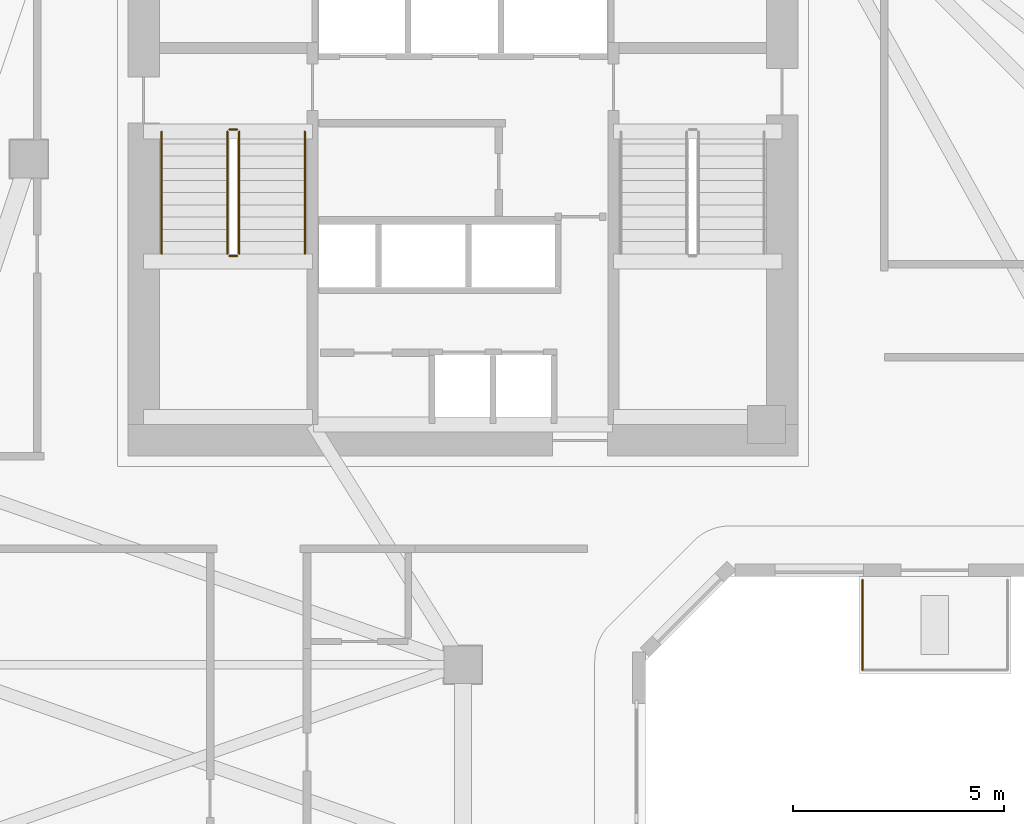
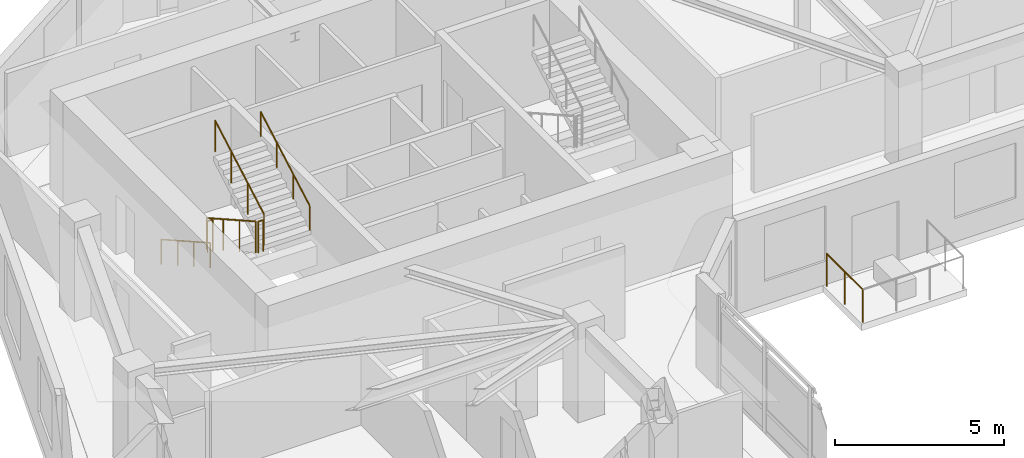
# One storey, part 9 of 11: 7 railings.
"""IFC4 building model written with IfcOpenShell, lengths in metres."""

from ifc_helpers import new_model, si_unit, direction, frame, origin, origin_2d, place, context, subcontext, project, spatial, circle, extrude, material, type_object, element, save


model = new_model("IFC4")

# Units and contexts
model_context = context("Model", 3, precision=1e-05, world=origin(), true_north=direction((0.0, 1.0)))
body_context = subcontext(model_context, "Body", "Model", "MODEL_VIEW")
ifc_project = project(units=[si_unit("LENGTHUNIT", "METRE"), si_unit("AREAUNIT", "SQUARE_METRE"), si_unit("VOLUMEUNIT", "CUBIC_METRE"), si_unit("PLANEANGLEUNIT", "RADIAN"), si_unit("MASSUNIT", "GRAM", prefix="KILO")], contexts=[model_context])

# Site, building, storey
site_placement = place(None, origin())
site = spatial("IfcSite", under=ifc_project, at=site_placement, CompositionType="ELEMENT")
building_placement = place(site_placement, origin())
building = spatial("IfcBuilding", under=site, at=building_placement, Name="Calvemar Wedge Station Tower", CompositionType="ELEMENT")
storey_placement = place(building_placement, frame((0.0, 0.0, 143.0)))
storey = spatial("IfcBuildingStorey", under=building, at=storey_placement, Name="L35", CompositionType="ELEMENT", Elevation=143.0)

# Railings
ifc_material_1 = material(Name="Stainless steel AISI 316L", Category="steel")
railing_type_1 = type_object("IfcRailingType", Name="GRD-TERR-1200", PredefinedType="GUARDRAIL", material=ifc_material_1)
railing_1_placement = place(storey_placement, frame((33.280029296875, 28.3720703125, 0.0)))
element("IfcRailing", 1, at=railing_1_placement, inside=storey, type_object=railing_type_1, Name="Storey L35 Spiral Terrace Guard 4", PredefinedType="GUARDRAIL", context=body_context, shape_type="SweptSolid", body=[
    extrude(circle(Radius=0.02392578125, at=origin_2d()), frame((0.0, 0.0, 1.17578125), z_axis=(0.0, 1.0, 0.0), x_axis=(-1.0, 0.0, 0.0)), (0.0, 0.0, 1.0), 2.139892578125),
    extrude(circle(Radius=0.02099609375, at=origin_2d()), origin(), (0.0, 0.0, 1.0), 1.15185546875),
    extrude(circle(Radius=0.02099609375, at=origin_2d()), frame((0.0, 1.06982421875, 0.0)), (0.0, 0.0, 1.0), 1.15185546875),
    extrude(circle(Radius=0.02099609375, at=origin_2d()), frame((0.0, 2.139892578125, 0.0)), (0.0, 0.0, 1.0), 1.15185546875),
])
railing_type_2 = type_object("IfcRailingType", Name="RL-HANDRAIL-920", PredefinedType="HANDRAIL", material=ifc_material_1)
railing_2_placement = place(storey_placement, frame((16.64990234375, 41.14990234375, 0.16357421875)))
element("IfcRailing", 2, at=railing_2_placement, inside=storey, type_object=railing_type_2, Name="L35 ST-C1 stair handrail 1", PredefinedType="HANDRAIL", context=body_context, shape_type="SweptSolid", body=[
    extrude(circle(Radius=0.02392578125, at=origin_2d()), frame((0.0, 0.0, 0.89599609375), z_axis=(0.0, -0.870897200241, 0.491465224214), x_axis=(1.0, 0.0, 0.0)), (0.0, 0.0, 1.0), 3.329833984375),
    extrude(circle(Radius=0.02099609375, at=origin_2d()), origin(), (0.0, 0.0, 1.0), 0.871826171875),
    extrude(circle(Radius=0.02099609375, at=origin_2d()), frame((0.0, -0.966552734375, 0.54541015625)), (0.0, 0.0, 1.0), 0.871826171875),
    extrude(circle(Radius=0.02099609375, at=origin_2d()), frame((0.0, -1.933349609375, 1.091064453125)), (0.0, 0.0, 1.0), 0.871826171875),
    extrude(circle(Radius=0.02099609375, at=origin_2d()), frame((0.0, -2.89990234375, 1.636474609375)), (0.0, 0.0, 1.0), 0.871826171875),
])
railing_3_placement = place(storey_placement, frame((20.050048828125, 38.25, 1.963623046875)))
element("IfcRailing", 3, at=railing_3_placement, inside=storey, type_object=railing_type_2, Name="L35 ST-C1 stair handrail 2", PredefinedType="HANDRAIL", context=body_context, shape_type="SweptSolid", body=[
    extrude(circle(Radius=0.02392578125, at=origin_2d()), frame((0.0, 0.0, 0.89599609375), z_axis=(0.0, 0.870897200241, 0.491465224214), x_axis=(-1.0, 0.0, 0.0)), (0.0, 0.0, 1.0), 3.329833984375),
    extrude(circle(Radius=0.02099609375, at=origin_2d()), origin(), (0.0, 0.0, 1.0), 0.871826171875),
    extrude(circle(Radius=0.02099609375, at=origin_2d()), frame((0.0, 0.966552734375, 0.54541015625)), (0.0, 0.0, 1.0), 0.871826171875),
    extrude(circle(Radius=0.02099609375, at=origin_2d()), frame((0.0, 1.933349609375, 1.091064453125)), (0.0, 0.0, 1.0), 0.871826171875),
    extrude(circle(Radius=0.02099609375, at=origin_2d()), frame((0.0, 2.89990234375, 1.636474609375)), (0.0, 0.0, 1.0), 0.871826171875),
])
ifc_material_2 = material(Name="Painted steel guardrail ASTM A500 Grade C", Category="steel")
railing_type_3 = type_object("IfcRailingType", Name="RL-STAIR-GUARD-1150", PredefinedType="GUARDRAIL", material=ifc_material_2)
railing_4_placement = place(storey_placement, frame((18.2099609375, 41.14990234375, 0.16357421875)))
element("IfcRailing", 4, at=railing_4_placement, inside=storey, type_object=railing_type_3, Name="L35 ST-C1 stair guard 1", PredefinedType="GUARDRAIL", context=body_context, shape_type="SweptSolid", body=[
    extrude(circle(Radius=0.02392578125, at=origin_2d()), frame((0.0, 0.0, 1.1259765625), z_axis=(0.0, -0.870897200241, 0.491465224214), x_axis=(1.0, 0.0, 0.0)), (0.0, 0.0, 1.0), 3.329833984375),
    extrude(circle(Radius=0.02099609375, at=origin_2d()), origin(), (0.0, 0.0, 1.0), 1.101806640625),
    extrude(circle(Radius=0.02099609375, at=origin_2d()), frame((0.0, -0.966552734375, 0.54541015625)), (0.0, 0.0, 1.0), 1.101806640625),
    extrude(circle(Radius=0.02099609375, at=origin_2d()), frame((0.0, -1.933349609375, 1.091064453125)), (0.0, 0.0, 1.0), 1.101806640625),
    extrude(circle(Radius=0.02099609375, at=origin_2d()), frame((0.0, -2.89990234375, 1.636474609375)), (0.0, 0.0, 1.0), 1.101806640625),
])
railing_5_placement = place(storey_placement, frame((18.260009765625, 38.199951171875, 1.800048828125)))
element("IfcRailing", 5, at=railing_5_placement, inside=storey, type_object=railing_type_3, Name="L35 ST-C1 stair guard 2", PredefinedType="GUARDRAIL", context=body_context, shape_type="SweptSolid", body=[
    extrude(circle(Radius=0.02392578125, at=origin_2d()), frame((0.0, 0.0, 1.1259765625), z_axis=(1.0, 0.0, 0.0), x_axis=(0.0, 1.0, 0.0)), (0.0, 0.0, 1.0), 0.179931640625),
    extrude(circle(Radius=0.02099609375, at=origin_2d()), origin(), (0.0, 0.0, 1.0), 1.101806640625),
    extrude(circle(Radius=0.02099609375, at=origin_2d()), frame((0.179931640625, 0.0, 0.0)), (0.0, 0.0, 1.0), 1.101806640625),
])
railing_6_placement = place(storey_placement, frame((18.489990234375, 38.25, 1.963623046875)))
element("IfcRailing", 6, at=railing_6_placement, inside=storey, type_object=railing_type_3, Name="L35 ST-C1 stair guard 3", PredefinedType="GUARDRAIL", context=body_context, shape_type="SweptSolid", body=[
    extrude(circle(Radius=0.02392578125, at=origin_2d()), frame((0.0, 0.0, 1.1259765625), z_axis=(0.0, 0.870897200241, 0.491465224214), x_axis=(-1.0, 0.0, 0.0)), (0.0, 0.0, 1.0), 3.329833984375),
    extrude(circle(Radius=0.02099609375, at=origin_2d()), origin(), (0.0, 0.0, 1.0), 1.101806640625),
    extrude(circle(Radius=0.02099609375, at=origin_2d()), frame((0.0, 0.966552734375, 0.54541015625)), (0.0, 0.0, 1.0), 1.101806640625),
    extrude(circle(Radius=0.02099609375, at=origin_2d()), frame((0.0, 1.933349609375, 1.091064453125)), (0.0, 0.0, 1.0), 1.101806640625),
    extrude(circle(Radius=0.02099609375, at=origin_2d()), frame((0.0, 2.89990234375, 1.636474609375)), (0.0, 0.0, 1.0), 1.101806640625),
])
railing_7_placement = place(storey_placement, frame((18.260009765625, 41.199951171875, 0.0)))
element("IfcRailing", 7, at=railing_7_placement, inside=storey, type_object=railing_type_3, Name="L35 ST-C1 stair guard 4", PredefinedType="GUARDRAIL", context=body_context, shape_type="SweptSolid", body=[
    extrude(circle(Radius=0.02392578125, at=origin_2d()), frame((0.0, 0.0, 1.1259765625), z_axis=(1.0, 0.0, 0.0), x_axis=(0.0, 1.0, 0.0)), (0.0, 0.0, 1.0), 0.179931640625),
    extrude(circle(Radius=0.02099609375, at=origin_2d()), origin(), (0.0, 0.0, 1.0), 1.101806640625),
    extrude(circle(Radius=0.02099609375, at=origin_2d()), frame((0.179931640625, 0.0, 0.0)), (0.0, 0.0, 1.0), 1.101806640625),
])

save(model, "model.ifc")
